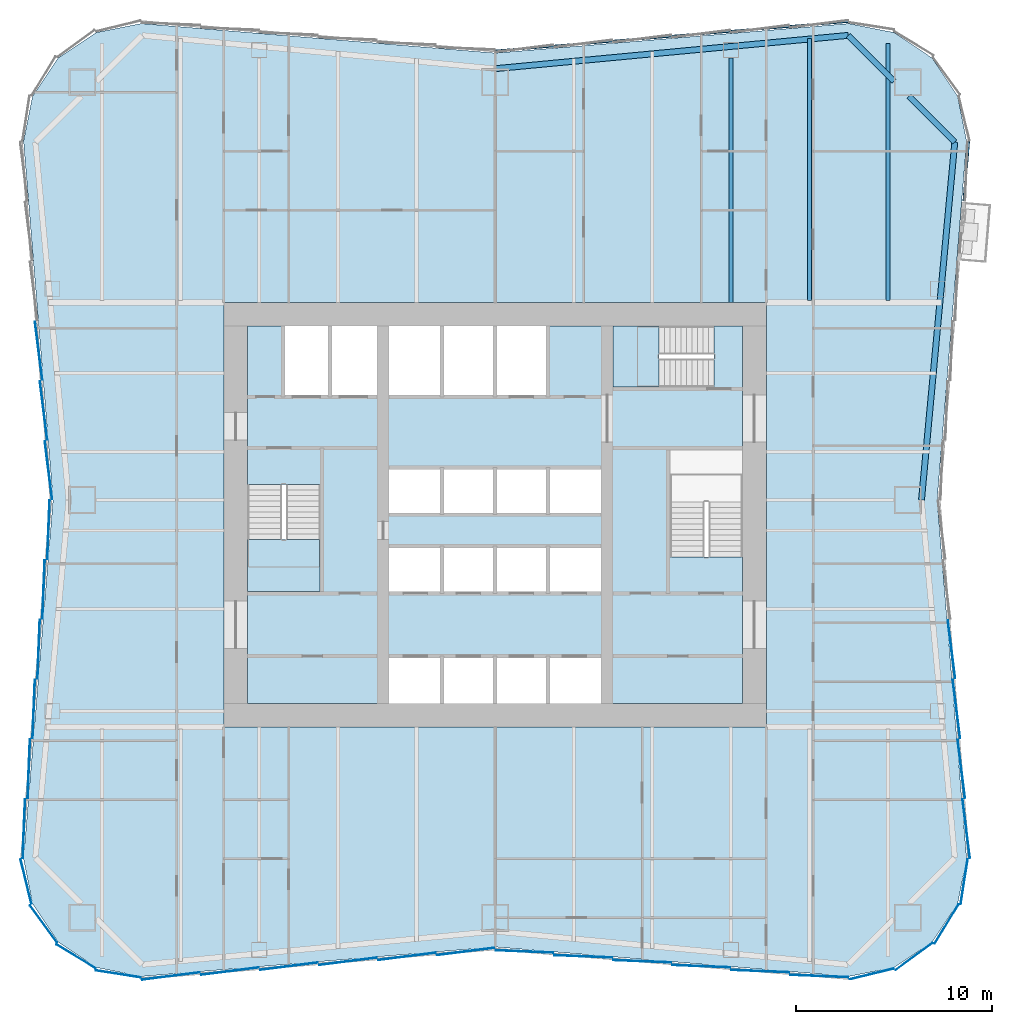
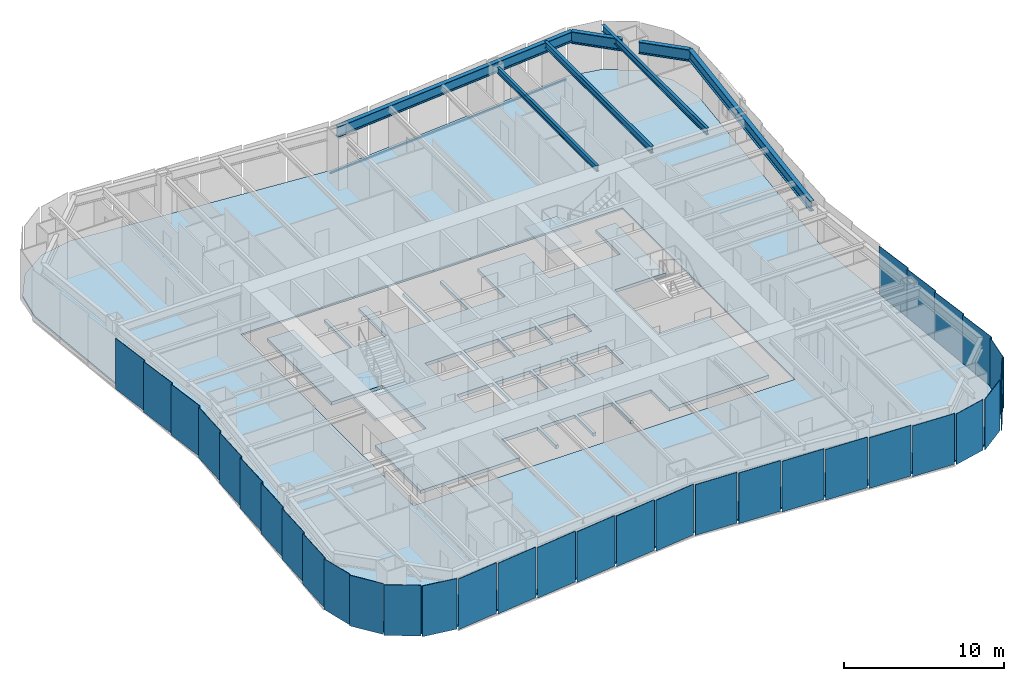
# One storey, part 2 of 9: 33 plates, 7 beams, 4 slabs, 2 members, 8 elements without a shape of their own.
"""IFC4 building model written with IfcOpenShell, lengths in metres."""

from ifc_helpers import new_model, si_unit, direction, frame, origin, origin_2d, place, context, subcontext, project, spatial, polyline, rectangle, i_section, outline, extrude, material, layer, layer_set, material_profile, profile_set, type_object, element, aggregate, save


model = new_model("IFC4")

# Units and contexts
model_context = context("Model", 3, precision=1e-05, world=origin(), true_north=direction((0.0, 1.0)))
body_context = subcontext(model_context, "Body", "Model", "MODEL_VIEW")
ifc_project = project(units=[si_unit("LENGTHUNIT", "METRE"), si_unit("AREAUNIT", "SQUARE_METRE"), si_unit("VOLUMEUNIT", "CUBIC_METRE"), si_unit("PLANEANGLEUNIT", "RADIAN"), si_unit("MASSUNIT", "GRAM", prefix="KILO")], contexts=[model_context])

# Site, building, storey
site_placement = place(None, origin())
site = spatial("IfcSite", under=ifc_project, at=site_placement, CompositionType="ELEMENT")
building_placement = place(site_placement, origin())
building = spatial("IfcBuilding", under=site, at=building_placement, Name="Verdant Reach Tower", CompositionType="ELEMENT")
storey_placement = place(building_placement, frame((0.0, 0.0, 86.0)))
storey = spatial("IfcBuildingStorey", under=building, at=storey_placement, Name="L19", CompositionType="ELEMENT", Elevation=86.0)

# Curtain wall, member
ifc_material_1 = material(Name="Anodised aluminium", Category="aluminium")
curtain_wall_type = type_object("IfcCurtainWallType", Name="EN-CW SYSTEM Z1", PredefinedType="NOTDEFINED", material=ifc_material_1)
curtain_wall_1_placement = place(storey_placement, origin())
curtain_wall_1 = element("IfcCurtainWall", 1, at=curtain_wall_1_placement, inside=storey, type_object=curtain_wall_type, Name="Curtain wall east, L19", PredefinedType="NOTDEFINED")
ifc_material_profile_1 = material_profile(ifc_material_1, rectangle(XDim=0.10009765625, YDim=0.1220703125, at=origin_2d()), Name="Transom 122x100")
ifc_profile_set_1 = profile_set([ifc_material_profile_1], Name="Anodised aluminium")
member_type = type_object("IfcMemberType", Name="EN-TRANSOM Z1", PredefinedType="USERDEFINED", material=ifc_profile_set_1)
member_1_placement = place(storey_placement, frame((23.855224609375, 43.980712890625, -0.2890625), z_axis=(0.081586055135, 0.996666301029, 0.0), x_axis=(-0.996666301029, 0.081586055135, 0.0)))
member_1 = element("IfcMember", 2, at=member_1_placement, type_object=member_type, Name="Transom east face part 2 2.1, L19", ObjectType="TRANSOM", PredefinedType="USERDEFINED", context=body_context, shape_type="SweptSolid", body=[
    extrude(rectangle(XDim=0.10009765625, YDim=0.1220703125, at=origin_2d()), origin(), (0.0, 0.0, 1.0), 3.00439453125),
])

curtain_wall_2_placement = place(storey_placement, origin())
curtain_wall_2 = element("IfcCurtainWall", 3, at=curtain_wall_2_placement, inside=storey, type_object=curtain_wall_type, Name="Curtain wall north, L19", PredefinedType="NOTDEFINED")
member_2_placement = place(storey_placement, frame((17.974853515625, 53.100341796875, -0.2890625), z_axis=(-0.996547815143, -0.083020793384, 0.0), x_axis=(0.083020793384, -0.996547815143, 0.0)))
member_2 = element("IfcMember", 4, at=member_2_placement, type_object=member_type, Name="Transom north face part 1 1.1, L19", ObjectType="TRANSOM", PredefinedType="USERDEFINED", context=body_context, shape_type="SweptSolid", body=[
    extrude(rectangle(XDim=0.10009765625, YDim=0.1220703125, at=origin_2d()), origin(), (0.0, 0.0, 1.0), 18.006103515625),
])
aggregate(curtain_wall_2, [member_2])

# Beams
ifc_material_2 = material(Name="Steel S355", Category="steel")
ifc_material_profile_2 = material_profile(ifc_material_2, i_section(OverallWidth=0.18994140625, OverallDepth=0.449951171875, WebThickness=0.009521484375, FlangeThickness=0.0146484375, FilletRadius=0.02099609375, at=origin_2d()), Name="IPE 450")
ifc_profile_set_2 = profile_set([ifc_material_profile_2], Name="Steel S355")
beam_type_1 = type_object("IfcBeamType", Name="ST-JOIST-IPE450", PredefinedType="JOIST", material=ifc_profile_set_2)
beam_1_placement = place(storey_placement, frame((12.0, 38.800048828125, 3.64501953125), z_axis=(0.0, 1.0, 0.0), x_axis=(-1.0, 0.0, 0.0)))
element("IfcBeam", 5, at=beam_1_placement, inside=storey, type_object=beam_type_1, Name="Floor joist, L19", PredefinedType="JOIST", context=body_context, shape_type="SweptSolid", body=[
    extrude(i_section(OverallWidth=0.18994140625, OverallDepth=0.449951171875, WebThickness=0.009521484375, FlangeThickness=0.0146484375, FilletRadius=0.02099609375, at=origin_2d()), origin(), (0.0, 0.0, 1.0), 12.449951171875),
])
ifc_material_profile_3 = material_profile(ifc_material_2, i_section(OverallWidth=0.199951171875, OverallDepth=0.5, WebThickness=0.01025390625, FlangeThickness=0.01611328125, FilletRadius=0.02099609375, at=origin_2d()), Name="IPE 500")
ifc_profile_set_3 = profile_set([ifc_material_profile_3], Name="Steel S355")
beam_type_2 = type_object("IfcBeamType", Name="ST-JOIST-IPE500", PredefinedType="JOIST", material=ifc_profile_set_3)
beam_2_placement = place(storey_placement, frame((16.0, 38.89990234375, 3.6201171875), z_axis=(0.0, 1.0, 0.0), x_axis=(-1.0, 0.0, 0.0)))
element("IfcBeam", 6, at=beam_2_placement, inside=storey, type_object=beam_type_2, Name="Floor joist, L19", PredefinedType="JOIST", context=body_context, shape_type="SweptSolid", body=[
    extrude(i_section(OverallWidth=0.199951171875, OverallDepth=0.5, WebThickness=0.01025390625, FlangeThickness=0.01611328125, FilletRadius=0.02099609375, at=origin_2d()), origin(), (0.0, 0.0, 1.0), 13.331298828125),
])
beam_3_placement = place(storey_placement, frame((20.0, 38.89990234375, 3.6201171875), z_axis=(0.0, 1.0, 0.0), x_axis=(-1.0, 0.0, 0.0)))
element("IfcBeam", 7, at=beam_3_placement, inside=storey, type_object=beam_type_2, Name="Floor joist, L19", PredefinedType="JOIST", context=body_context, shape_type="SweptSolid", body=[
    extrude(i_section(OverallWidth=0.199951171875, OverallDepth=0.5, WebThickness=0.01025390625, FlangeThickness=0.01611328125, FilletRadius=0.02099609375, at=origin_2d()), origin(), (0.0, 0.0, 1.0), 13.090576171875),
])
ifc_material_profile_4 = material_profile(ifc_material_2, i_section(OverallWidth=0.300048828125, OverallDepth=0.800048828125, WebThickness=0.017578125, FlangeThickness=0.032958984375, FilletRadius=0.030029296875, at=origin_2d()), Name="HEB 800")
ifc_profile_set_4 = profile_set([ifc_material_profile_4], Name="Steel S355")
beam_type_3 = type_object("IfcBeamType", Name="ST-SPANDREL-HEB800", PredefinedType="SPANDREL", material=ifc_profile_set_4)
beam_4_placement = place(storey_placement, frame((0.0, 50.699951171875, 3.469970703125), z_axis=(0.995578571765, 0.093932462137, 0.0), x_axis=(-0.093932462137, 0.995578571765, 0.0)))
element("IfcBeam", 8, at=beam_4_placement, inside=storey, type_object=beam_type_3, Name="Edge beam, L19", PredefinedType="SPANDREL", context=body_context, shape_type="SweptSolid", body=[
    extrude(i_section(OverallWidth=0.300048828125, OverallDepth=0.800048828125, WebThickness=0.017578125, FlangeThickness=0.032958984375, FilletRadius=0.030029296875, at=origin_2d()), origin(), (0.0, 0.0, 1.0), 18.045654296875),
])
beam_5_placement = place(storey_placement, frame((23.39501953125, 46.96533203125, 3.469970703125), z_axis=(-0.092656907618, -0.995698095544, 0.0), x_axis=(0.995698095544, -0.092656907618, 0.0)))
element("IfcBeam", 9, at=beam_5_placement, inside=storey, type_object=beam_type_3, Name="Edge beam, L19", PredefinedType="SPANDREL", context=body_context, shape_type="SweptSolid", body=[
    extrude(i_section(OverallWidth=0.300048828125, OverallDepth=0.800048828125, WebThickness=0.017578125, FlangeThickness=0.032958984375, FilletRadius=0.030029296875, at=origin_2d()), origin(), (0.0, 0.0, 1.0), 18.2939453125),
])
ifc_material_profile_5 = material_profile(ifc_material_2, i_section(OverallWidth=0.302001953125, OverallDepth=0.909912109375, WebThickness=0.02099609375, FlangeThickness=0.0400390625, FilletRadius=0.030029296875, at=origin_2d()), Name="HEM 900")
ifc_profile_set_5 = profile_set([ifc_material_profile_5], Name="Steel S355")
beam_type_4 = type_object("IfcBeamType", Name="ST-SPANDREL-HEM900", PredefinedType="SPANDREL", material=ifc_profile_set_5)
beam_6_placement = place(storey_placement, frame((17.9658203125, 52.39501953125, 3.4150390625), z_axis=(0.707106781187, -0.707106781187, 0.0), x_axis=(0.707106781187, 0.707106781187, 0.0)))
element("IfcBeam", 10, at=beam_6_placement, inside=storey, type_object=beam_type_4, Name="Edge beam, L19", PredefinedType="SPANDREL", context=body_context, shape_type="SweptSolid", body=[
    extrude(i_section(OverallWidth=0.302001953125, OverallDepth=0.909912109375, WebThickness=0.02099609375, FlangeThickness=0.0400390625, FilletRadius=0.030029296875, at=origin_2d()), origin(), (0.0, 0.0, 1.0), 3.301025390625),
])
beam_7_placement = place(storey_placement, frame((21.060546875, 49.300048828125, 3.4150390625), z_axis=(0.707069807316, -0.707143753123, 0.0), x_axis=(0.707143753123, 0.707069807316, 0.0)))
element("IfcBeam", 11, at=beam_7_placement, inside=storey, type_object=beam_type_4, Name="Edge beam, L19", PredefinedType="SPANDREL", context=body_context, shape_type="SweptSolid", body=[
    extrude(i_section(OverallWidth=0.302001953125, OverallDepth=0.909912109375, WebThickness=0.02099609375, FlangeThickness=0.0400390625, FilletRadius=0.030029296875, at=origin_2d()), origin(), (0.0, 0.0, 1.0), 3.301513671875),
])

# Stair, slab
ifc_material_3 = material(Name="Concrete C40/50", Category="concrete")
stair_type = type_object("IfcStairType", Name="CO-STAIR", PredefinedType="HALF_TURN_STAIR", material=ifc_material_3)
stair_1_placement = place(storey_placement, origin())
stair_1 = element("IfcStair", 12, at=stair_1_placement, inside=storey, type_object=stair_type, Name="L19 Exit stair 1", PredefinedType="HALF_TURN_STAIR")
ifc_layer_1 = layer(ifc_material_3, 0.199951171875)
ifc_layer_set_1 = layer_set([ifc_layer_1], Name="CO-STAIR-LANDING")
slab_type_1 = type_object("IfcSlabType", Name="CO-STAIR-LANDING", PredefinedType="LANDING", material=ifc_layer_set_1)
slab_1_placement = place(storey_placement, frame((0.0, 0.0, 1.800048828125)))
slab_1 = element("IfcSlab", 13, at=slab_1_placement, type_object=slab_type_1, Name="ST-1 landing 1", PredefinedType="LANDING", context=body_context, shape_type="SweptSolid", body=[
    extrude(outline(polyline([(-12.60009765625, 26.75), (-12.60009765625, 24.10009765625), (-8.89990234375, 24.10009765625), (-8.89990234375, 26.75), (-12.60009765625, 26.75)])), origin(), (0.0, 0.0, 1.0), 0.199951171875),
])
aggregate(stair_1, [slab_1])

stair_2_placement = place(storey_placement, origin())
stair_2 = element("IfcStair", 14, at=stair_2_placement, inside=storey, type_object=stair_type, Name="L19 Exit stair 3", PredefinedType="HALF_TURN_STAIR")
slab_2_placement = place(storey_placement, frame((0.0, 0.0, 1.800048828125)))
slab_2 = element("IfcSlab", 15, at=slab_2_placement, type_object=slab_type_1, Name="ST-3 landing 1", PredefinedType="LANDING", context=body_context, shape_type="SweptSolid", body=[
    extrude(outline(polyline([(8.35009765625, 37.60009765625), (6.0, 37.60009765625), (6.0, 34.5), (8.35009765625, 34.5), (8.35009765625, 37.60009765625)])), origin(), (0.0, 0.0, 1.0), 0.199951171875),
])
aggregate(stair_2, [slab_2])

# Curtain wall, plate
curtain_wall_3_placement = place(storey_placement, origin())
curtain_wall_3 = element("IfcCurtainWall", 16, at=curtain_wall_3_placement, inside=storey, type_object=curtain_wall_type, Name="Curtain wall south-east corner, L19", PredefinedType="NOTDEFINED")
ifc_material_4 = material(Name="Tinted glass with champagne spandrel", Category="glass")
ifc_layer_2 = layer(ifc_material_4, 0.031982421875)
ifc_layer_set_2 = layer_set([ifc_layer_2], Name="EN-PANEL CHAMPAGNE")
plate_type_1 = type_object("IfcPlateType", Name="EN-PANEL CHAMPAGNE", PredefinedType="CURTAIN_PANEL", material=ifc_layer_set_2)
plate_1_placement = place(storey_placement, frame((19.170654296875, 4.62939453125, -0.22802734375), z_axis=(0.0, 0.0, 1.0), x_axis=(0.971660685934, 0.236380014828, 0.0)))
plate_1 = element("IfcPlate", 17, at=plate_1_placement, type_object=plate_type_1, Name="Glass panel south-east corner 1.1, L19", PredefinedType="CURTAIN_PANEL", context=body_context, shape_type="SweptSolid", body=[
    extrude(rectangle(XDim=2.317626953125, YDim=0.031982421875, at=origin_2d()), origin(), (0.0, 0.0, 1.0), 3.8779296875),
])

# Curtain wall, plates
curtain_wall_4_placement = place(storey_placement, origin())
curtain_wall_4 = element("IfcCurtainWall", 18, at=curtain_wall_4_placement, inside=storey, type_object=curtain_wall_type, Name="Curtain wall west, L19", PredefinedType="NOTDEFINED")
plate_2_placement = place(storey_placement, frame((-23.2275390625, 21.154296875, -0.22802734375), z_axis=(0.0, 0.0, 1.0), x_axis=(-0.040108781752, -0.999195319057, 0.0)))
plate_2 = element("IfcPlate", 19, at=plate_2_placement, type_object=plate_type_1, Name="Glass panel west face part 2 3.1, L19", PredefinedType="CURTAIN_PANEL", context=body_context, shape_type="SweptSolid", body=[
    extrude(rectangle(XDim=2.993896484375, YDim=0.031982421875, at=origin_2d()), origin(), (0.0, 0.0, 1.0), 3.8779296875),
])
plate_3_placement = place(storey_placement, frame((-23.4775390625, 18.112548828125, -0.22802734375), z_axis=(0.0, 0.0, 1.0), x_axis=(-0.040108781752, -0.999195319057, 0.0)))
plate_3 = element("IfcPlate", 20, at=plate_3_placement, type_object=plate_type_1, Name="Glass panel west face part 2 4.1, L19", PredefinedType="CURTAIN_PANEL", context=body_context, shape_type="SweptSolid", body=[
    extrude(rectangle(XDim=2.993896484375, YDim=0.031982421875, at=origin_2d()), origin(), (0.0, 0.0, 1.0), 3.8779296875),
])

curtain_wall_5_placement = place(storey_placement, origin())
curtain_wall_5 = element("IfcCurtainWall", 21, at=curtain_wall_5_placement, inside=storey, type_object=curtain_wall_type, Name="Curtain wall south-west corner, L19", PredefinedType="NOTDEFINED")
plate_4_placement = place(storey_placement, frame((-23.87060546875, 9.329345703125, -0.22802734375), z_axis=(0.0, 0.0, 1.0), x_axis=(0.236383344544, -0.971659875894, 0.0)))
plate_4 = element("IfcPlate", 22, at=plate_4_placement, type_object=plate_type_1, Name="Glass panel south-west corner 1.1, L19", PredefinedType="CURTAIN_PANEL", context=body_context, shape_type="SweptSolid", body=[
    extrude(rectangle(XDim=2.3173828125, YDim=0.031982421875, at=origin_2d()), origin(), (0.0, 0.0, 1.0), 3.8779296875),
])
plate_5_placement = place(storey_placement, frame((-22.97705078125, 7.174560546875, -0.22802734375), z_axis=(0.0, 0.0, 1.0), x_axis=(0.589926768145, -0.807456753161, 0.0)))
plate_5 = element("IfcPlate", 23, at=plate_5_placement, type_object=plate_type_1, Name="Glass panel south-west corner 2.1, L19", PredefinedType="CURTAIN_PANEL", context=body_context, shape_type="SweptSolid", body=[
    extrude(rectangle(XDim=2.3232421875, YDim=0.031982421875, at=origin_2d()), origin(), (0.0, 0.0, 1.0), 3.8779296875),
])
plate_6_placement = place(storey_placement, frame((-21.325439453125, 5.52294921875, -0.22802734375), z_axis=(0.0, 0.0, 1.0), x_axis=(0.85398868836, -0.520291572248, 0.0)))
plate_6 = element("IfcPlate", 24, at=plate_6_placement, type_object=plate_type_1, Name="Glass panel south-west corner 3.1, L19", PredefinedType="CURTAIN_PANEL", context=body_context, shape_type="SweptSolid", body=[
    extrude(rectangle(XDim=2.3232421875, YDim=0.031982421875, at=origin_2d()), origin(), (0.0, 0.0, 1.0), 3.8779296875),
])

curtain_wall_6_placement = place(storey_placement, origin())
curtain_wall_6 = element("IfcCurtainWall", 25, at=curtain_wall_6_placement, inside=storey, type_object=curtain_wall_type, Name="Curtain wall south, L19", PredefinedType="NOTDEFINED")
plate_7_placement = place(storey_placement, frame((-16.49853515625, 4.522216796875, -0.22802734375), z_axis=(0.0, 0.0, 1.0), x_axis=(0.99223537376, 0.124374286167, 0.0)))
plate_7 = element("IfcPlate", 26, at=plate_7_placement, type_object=plate_type_1, Name="Glass panel south face part 1 1.1, L19", PredefinedType="CURTAIN_PANEL", context=body_context, shape_type="SweptSolid", body=[
    extrude(rectangle(XDim=2.966796875, YDim=0.031982421875, at=origin_2d()), origin(), (0.0, 0.0, 1.0), 3.8779296875),
])
plate_8_placement = place(storey_placement, frame((1.49560546875, 5.772216796875, -0.22802734375), z_axis=(0.0, 0.0, 1.0), x_axis=(0.99914430697, -0.041360051381, 0.0)))
plate_8 = element("IfcPlate", 27, at=plate_8_placement, type_object=plate_type_1, Name="Glass panel south face part 2 1.1, L19", PredefinedType="CURTAIN_PANEL", context=body_context, shape_type="SweptSolid", body=[
    extrude(rectangle(XDim=2.94384765625, YDim=0.031982421875, at=origin_2d()), origin(), (0.0, 0.0, 1.0), 3.8779296875),
])
plate_9_placement = place(storey_placement, frame((4.491455078125, 5.5224609375, -0.22802734375), z_axis=(0.0, 0.0, 1.0), x_axis=(0.999149202059, -0.041241629766, 0.0)))
plate_9 = element("IfcPlate", 28, at=plate_9_placement, type_object=plate_type_1, Name="Glass panel south face part 2 2.1, L19", PredefinedType="CURTAIN_PANEL", context=body_context, shape_type="SweptSolid", body=[
    extrude(rectangle(XDim=2.952392578125, YDim=0.031982421875, at=origin_2d()), origin(), (0.0, 0.0, 1.0), 3.8779296875),
])

# Plate
ifc_material_5 = material(Name="Tinted glass with copper spandrel", Category="glass")
ifc_layer_3 = layer(ifc_material_5, 0.031982421875)
ifc_layer_set_3 = layer_set([ifc_layer_3], Name="EN-PANEL COPPER")
plate_type_2 = type_object("IfcPlateType", Name="EN-PANEL COPPER", PredefinedType="CURTAIN_PANEL", material=ifc_layer_set_3)
plate_10_placement = place(storey_placement, frame((21.325439453125, 5.52294921875, -0.22802734375), z_axis=(0.0, 0.0, 1.0), x_axis=(0.807456753161, 0.589926768145, 0.0)))
plate_10 = element("IfcPlate", 29, at=plate_10_placement, type_object=plate_type_2, Name="Glass panel south-east corner 2.1, L19", PredefinedType="CURTAIN_PANEL", context=body_context, shape_type="SweptSolid", body=[
    extrude(rectangle(XDim=2.3232421875, YDim=0.031982421875, at=origin_2d()), origin(), (0.0, 0.0, 1.0), 3.8779296875),
])

plate_11_placement = place(storey_placement, frame((22.97705078125, 7.174560546875, -0.22802734375), z_axis=(0.0, 0.0, 1.0), x_axis=(0.520291572248, 0.85398868836, 0.0)))
plate_11 = element("IfcPlate", 30, at=plate_11_placement, type_object=plate_type_2, Name="Glass panel south-east corner 3.1, L19", PredefinedType="CURTAIN_PANEL", context=body_context, shape_type="SweptSolid", body=[
    extrude(rectangle(XDim=2.3232421875, YDim=0.031982421875, at=origin_2d()), origin(), (0.0, 0.0, 1.0), 3.8779296875),
])

plate_12_placement = place(storey_placement, frame((23.977783203125, 12.022216796875, -0.22802734375), z_axis=(0.0, 0.0, 1.0), x_axis=(-0.123256305275, 0.992374870304, 0.0)))
plate_12 = element("IfcPlate", 31, at=plate_12_placement, type_object=plate_type_2, Name="Glass panel east face part 1 1.1, L19", PredefinedType="CURTAIN_PANEL", context=body_context, shape_type="SweptSolid", body=[
    extrude(rectangle(XDim=3.00830078125, YDim=0.031982421875, at=origin_2d()), origin(), (0.0, 0.0, 1.0), 3.8779296875),
])

plate_13_placement = place(storey_placement, frame((-23.2275390625, 36.345703125, -0.22802734375), z_axis=(0.0, 0.0, 1.0), x_axis=(0.123578623975, -0.992334784081, 0.0)))
plate_13 = element("IfcPlate", 32, at=plate_13_placement, type_object=plate_type_2, Name="Glass panel west face part 1 4.1, L19", PredefinedType="CURTAIN_PANEL", context=body_context, shape_type="SweptSolid", body=[
    extrude(rectangle(XDim=2.993896484375, YDim=0.031982421875, at=origin_2d()), origin(), (0.0, 0.0, 1.0), 3.8779296875),
])

plate_14_placement = place(storey_placement, frame((-22.9775390625, 33.303955078125, -0.22802734375), z_axis=(0.0, 0.0, 1.0), x_axis=(0.123578623975, -0.992334784081, 0.0)))
plate_14 = element("IfcPlate", 33, at=plate_14_placement, type_object=plate_type_2, Name="Glass panel west face part 1 5.1, L19", PredefinedType="CURTAIN_PANEL", context=body_context, shape_type="SweptSolid", body=[
    extrude(rectangle(XDim=2.993896484375, YDim=0.031982421875, at=origin_2d()), origin(), (0.0, 0.0, 1.0), 3.8779296875),
])

plate_15_placement = place(storey_placement, frame((-23.7275390625, 15.071044921875, -0.22802734375), z_axis=(0.0, 0.0, 1.0), x_axis=(-0.040108781752, -0.999195319057, 0.0)))
plate_15 = element("IfcPlate", 34, at=plate_15_placement, type_object=plate_type_2, Name="Glass panel west face part 2 5.1, L19", PredefinedType="CURTAIN_PANEL", context=body_context, shape_type="SweptSolid", body=[
    extrude(rectangle(XDim=2.993896484375, YDim=0.031982421875, at=origin_2d()), origin(), (0.0, 0.0, 1.0), 3.8779296875),
])

plate_16_placement = place(storey_placement, frame((-23.977783203125, 12.022216796875, -0.22802734375), z_axis=(0.0, 0.0, 1.0), x_axis=(-0.039784239139, -0.999208293759, 0.0)))
plate_16 = element("IfcPlate", 35, at=plate_16_placement, type_object=plate_type_2, Name="Glass panel west face part 2 6.1, L19", PredefinedType="CURTAIN_PANEL", context=body_context, shape_type="SweptSolid", body=[
    extrude(rectangle(XDim=3.00830078125, YDim=0.031982421875, at=origin_2d()), origin(), (0.0, 0.0, 1.0), 3.8779296875),
])

plate_17_placement = place(storey_placement, frame((-19.170654296875, 4.62939453125, -0.22802734375), z_axis=(0.0, 0.0, 1.0), x_axis=(0.988032704995, -0.154244526195, 0.0)))
plate_17 = element("IfcPlate", 36, at=plate_17_placement, type_object=plate_type_2, Name="Glass panel south-west corner 4.1, L19", PredefinedType="CURTAIN_PANEL", context=body_context, shape_type="SweptSolid", body=[
    extrude(rectangle(XDim=2.317626953125, YDim=0.031982421875, at=origin_2d()), origin(), (0.0, 0.0, 1.0), 3.8779296875),
])

aggregate(curtain_wall_5, [plate_4, plate_5, plate_6, plate_17])

plate_18_placement = place(storey_placement, frame((-13.491455078125, 4.7724609375, -0.22802734375), z_axis=(0.0, 0.0, 1.0), x_axis=(0.992194034542, 0.124703639961, 0.0)))
plate_18 = element("IfcPlate", 37, at=plate_18_placement, type_object=plate_type_2, Name="Glass panel south face part 1 2.1, L19", PredefinedType="CURTAIN_PANEL", context=body_context, shape_type="SweptSolid", body=[
    extrude(rectangle(XDim=2.952392578125, YDim=0.031982421875, at=origin_2d()), origin(), (0.0, 0.0, 1.0), 3.8779296875),
])

plate_19_placement = place(storey_placement, frame((-10.491455078125, 5.0224609375, -0.22802734375), z_axis=(0.0, 0.0, 1.0), x_axis=(0.992194034542, 0.124703639961, 0.0)))
plate_19 = element("IfcPlate", 38, at=plate_19_placement, type_object=plate_type_2, Name="Glass panel south face part 1 3.1, L19", PredefinedType="CURTAIN_PANEL", context=body_context, shape_type="SweptSolid", body=[
    extrude(rectangle(XDim=2.952392578125, YDim=0.031982421875, at=origin_2d()), origin(), (0.0, 0.0, 1.0), 3.8779296875),
])

plate_20_placement = place(storey_placement, frame((7.491455078125, 5.2724609375, -0.22802734375), z_axis=(0.0, 0.0, 1.0), x_axis=(0.999149202059, -0.041241629766, 0.0)))
plate_20 = element("IfcPlate", 39, at=plate_20_placement, type_object=plate_type_2, Name="Glass panel south face part 2 3.1, L19", PredefinedType="CURTAIN_PANEL", context=body_context, shape_type="SweptSolid", body=[
    extrude(rectangle(XDim=2.952392578125, YDim=0.031982421875, at=origin_2d()), origin(), (0.0, 0.0, 1.0), 3.8779296875),
])

plate_21_placement = place(storey_placement, frame((10.491455078125, 5.0224609375, -0.22802734375), z_axis=(0.0, 0.0, 1.0), x_axis=(0.999149202059, -0.041241629766, 0.0)))
plate_21 = element("IfcPlate", 40, at=plate_21_placement, type_object=plate_type_2, Name="Glass panel south face part 2 4.1, L19", PredefinedType="CURTAIN_PANEL", context=body_context, shape_type="SweptSolid", body=[
    extrude(rectangle(XDim=2.952392578125, YDim=0.031982421875, at=origin_2d()), origin(), (0.0, 0.0, 1.0), 3.8779296875),
])

plate_22_placement = place(storey_placement, frame((13.491455078125, 4.7724609375, -0.22802734375), z_axis=(0.0, 0.0, 1.0), x_axis=(0.999149202059, -0.041241629766, 0.0)))
plate_22 = element("IfcPlate", 41, at=plate_22_placement, type_object=plate_type_2, Name="Glass panel south face part 2 5.1, L19", PredefinedType="CURTAIN_PANEL", context=body_context, shape_type="SweptSolid", body=[
    extrude(rectangle(XDim=2.952392578125, YDim=0.031982421875, at=origin_2d()), origin(), (0.0, 0.0, 1.0), 3.8779296875),
])

ifc_material_6 = material(Name="Tinted glass with dark bronze spandrel", Category="glass")
ifc_layer_4 = layer(ifc_material_6, 0.031982421875)
ifc_layer_set_4 = layer_set([ifc_layer_4], Name="EN-PANEL DARK")
plate_type_3 = type_object("IfcPlateType", Name="EN-PANEL DARK", PredefinedType="CURTAIN_PANEL", material=ifc_layer_set_4)
plate_23_placement = place(storey_placement, frame((23.87060546875, 9.329345703125, -0.22802734375), z_axis=(0.0, 0.0, 1.0), x_axis=(0.154247912016, 0.988032176419, 0.0)))
plate_23 = element("IfcPlate", 42, at=plate_23_placement, type_object=plate_type_3, Name="Glass panel south-east corner 4.1, L19", PredefinedType="CURTAIN_PANEL", context=body_context, shape_type="SweptSolid", body=[
    extrude(rectangle(XDim=2.3173828125, YDim=0.031982421875, at=origin_2d()), origin(), (0.0, 0.0, 1.0), 3.8779296875),
])

aggregate(curtain_wall_3, [plate_1, plate_10, plate_11, plate_23])

plate_24_placement = place(storey_placement, frame((23.7275390625, 15.071044921875, -0.22802734375), z_axis=(0.0, 0.0, 1.0), x_axis=(-0.123578623975, 0.992334784081, 0.0)))
plate_24 = element("IfcPlate", 43, at=plate_24_placement, type_object=plate_type_3, Name="Glass panel east face part 1 2.1, L19", PredefinedType="CURTAIN_PANEL", context=body_context, shape_type="SweptSolid", body=[
    extrude(rectangle(XDim=2.993896484375, YDim=0.031982421875, at=origin_2d()), origin(), (0.0, 0.0, 1.0), 3.8779296875),
])

plate_25_placement = place(storey_placement, frame((23.4775390625, 18.112548828125, -0.22802734375), z_axis=(0.0, 0.0, 1.0), x_axis=(-0.123578623975, 0.992334784081, 0.0)))
plate_25 = element("IfcPlate", 44, at=plate_25_placement, type_object=plate_type_3, Name="Glass panel east face part 1 3.1, L19", PredefinedType="CURTAIN_PANEL", context=body_context, shape_type="SweptSolid", body=[
    extrude(rectangle(XDim=2.993896484375, YDim=0.031982421875, at=origin_2d()), origin(), (0.0, 0.0, 1.0), 3.8779296875),
])

plate_26_placement = place(storey_placement, frame((23.2275390625, 21.154296875, -0.22802734375), z_axis=(0.0, 0.0, 1.0), x_axis=(-0.123578623975, 0.992334784081, 0.0)))
plate_26 = element("IfcPlate", 45, at=plate_26_placement, type_object=plate_type_3, Name="Glass panel east face part 1 4.1, L19", PredefinedType="CURTAIN_PANEL", context=body_context, shape_type="SweptSolid", body=[
    extrude(rectangle(XDim=2.993896484375, YDim=0.031982421875, at=origin_2d()), origin(), (0.0, 0.0, 1.0), 3.8779296875),
])

aggregate(curtain_wall_1, [plate_12, plate_24, plate_25, plate_26, member_1])

plate_27_placement = place(storey_placement, frame((-22.727783203125, 30.2666015625, -0.22802734375), z_axis=(0.0, 0.0, 1.0), x_axis=(0.123691487663, -0.992320722287, 0.0)))
plate_27 = element("IfcPlate", 46, at=plate_27_placement, type_object=plate_type_3, Name="Glass panel west face part 1 6.1, L19", PredefinedType="CURTAIN_PANEL", context=body_context, shape_type="SweptSolid", body=[
    extrude(rectangle(XDim=2.985595703125, YDim=0.031982421875, at=origin_2d()), origin(), (0.0, 0.0, 1.0), 3.8779296875),
])

plate_28_placement = place(storey_placement, frame((-22.727783203125, 27.2333984375, -0.22802734375), z_axis=(0.0, 0.0, 1.0), x_axis=(-0.040222426271, -0.99919075077, 0.0)))
plate_28 = element("IfcPlate", 47, at=plate_28_placement, type_object=plate_type_3, Name="Glass panel west face part 2 1.1, L19", PredefinedType="CURTAIN_PANEL", context=body_context, shape_type="SweptSolid", body=[
    extrude(rectangle(XDim=2.985595703125, YDim=0.031982421875, at=origin_2d()), origin(), (0.0, 0.0, 1.0), 3.8779296875),
])

plate_29_placement = place(storey_placement, frame((-22.9775390625, 24.196044921875, -0.22802734375), z_axis=(0.0, 0.0, 1.0), x_axis=(-0.040108781752, -0.999195319057, 0.0)))
plate_29 = element("IfcPlate", 48, at=plate_29_placement, type_object=plate_type_3, Name="Glass panel west face part 2 2.1, L19", PredefinedType="CURTAIN_PANEL", context=body_context, shape_type="SweptSolid", body=[
    extrude(rectangle(XDim=2.993896484375, YDim=0.031982421875, at=origin_2d()), origin(), (0.0, 0.0, 1.0), 3.8779296875),
])

aggregate(curtain_wall_4, [plate_13, plate_14, plate_27, plate_28, plate_29, plate_2, plate_3, plate_15, plate_16])

plate_30_placement = place(storey_placement, frame((-7.491455078125, 5.2724609375, -0.22802734375), z_axis=(0.0, 0.0, 1.0), x_axis=(0.992194034542, 0.124703639961, 0.0)))
plate_30 = element("IfcPlate", 49, at=plate_30_placement, type_object=plate_type_3, Name="Glass panel south face part 1 4.1, L19", PredefinedType="CURTAIN_PANEL", context=body_context, shape_type="SweptSolid", body=[
    extrude(rectangle(XDim=2.952392578125, YDim=0.031982421875, at=origin_2d()), origin(), (0.0, 0.0, 1.0), 3.8779296875),
])

plate_31_placement = place(storey_placement, frame((-4.491455078125, 5.5224609375, -0.22802734375), z_axis=(0.0, 0.0, 1.0), x_axis=(0.992194034542, 0.124703639961, 0.0)))
plate_31 = element("IfcPlate", 50, at=plate_31_placement, type_object=plate_type_3, Name="Glass panel south face part 1 5.1, L19", PredefinedType="CURTAIN_PANEL", context=body_context, shape_type="SweptSolid", body=[
    extrude(rectangle(XDim=2.952392578125, YDim=0.031982421875, at=origin_2d()), origin(), (0.0, 0.0, 1.0), 3.8779296875),
])

plate_32_placement = place(storey_placement, frame((-1.49560546875, 5.772216796875, -0.22802734375), z_axis=(0.0, 0.0, 1.0), x_axis=(0.992179247355, 0.124821236644, 0.0)))
plate_32 = element("IfcPlate", 51, at=plate_32_placement, type_object=plate_type_3, Name="Glass panel south face part 1 6.1, L19", PredefinedType="CURTAIN_PANEL", context=body_context, shape_type="SweptSolid", body=[
    extrude(rectangle(XDim=2.94384765625, YDim=0.031982421875, at=origin_2d()), origin(), (0.0, 0.0, 1.0), 3.8779296875),
])

plate_33_placement = place(storey_placement, frame((16.49853515625, 4.522216796875, -0.22802734375), z_axis=(0.0, 0.0, 1.0), x_axis=(0.999162836679, -0.040909971885, 0.0)))
plate_33 = element("IfcPlate", 52, at=plate_33_placement, type_object=plate_type_3, Name="Glass panel south face part 2 6.1, L19", PredefinedType="CURTAIN_PANEL", context=body_context, shape_type="SweptSolid", body=[
    extrude(rectangle(XDim=2.966796875, YDim=0.031982421875, at=origin_2d()), origin(), (0.0, 0.0, 1.0), 3.8779296875),
])

aggregate(curtain_wall_6, [plate_7, plate_18, plate_19, plate_30, plate_31, plate_32, plate_8, plate_9, plate_20, plate_21, plate_22, plate_33])

# Slabs
ifc_material_7 = material(Name="Concrete C35/45", Category="concrete")
ifc_layer_5 = layer(ifc_material_7, 0.1298828125)
ifc_layer_set_5 = layer_set([ifc_layer_5], Name="ST-SLAB-130")
slab_type_2 = type_object("IfcSlabType", Name="ST-SLAB-130", PredefinedType="FLOOR", material=ifc_layer_set_5)
slab_3_placement = place(storey_placement, frame((0.0, 0.0, -0.1298828125)))
element("IfcSlab", 53, at=slab_3_placement, inside=storey, type_object=slab_type_2, Name="Floor slab L19", PredefinedType="FLOOR", context=body_context, shape_type="SweptSolid", body=[
    extrude(outline(polyline([(0.0, 6.0), (-18.0, 4.5), (-20.296142578125, 4.956787109375), (-22.24267578125, 6.25732421875), (-23.543212890625, 8.203857421875), (-24.0, 10.5), (-22.5, 28.75), (-24.0, 47.0), (-23.543212890625, 49.296142578125), (-22.24267578125, 51.24267578125), (-20.296142578125, 52.543212890625), (-18.0, 53.0), (0.0, 51.5), (18.0, 53.0), (20.296142578125, 52.543212890625), (22.24267578125, 51.24267578125), (23.543212890625, 49.296142578125), (24.0, 47.0), (22.5, 28.75), (24.0, 10.5), (23.543212890625, 8.203857421875), (22.24267578125, 6.25732421875), (20.296142578125, 4.956787109375), (18.0, 4.5), (0.0, 6.0)]), holes=[polyline([(13.800048828125, 38.800048828125), (-13.800048828125, 38.800048828125), (-13.800048828125, 17.199951171875), (13.800048828125, 17.199951171875), (13.800048828125, 38.800048828125)])]), origin(), (0.0, 0.0, 1.0), 0.1298828125),
])
ifc_layer_6 = layer(ifc_material_7, 0.25)
ifc_layer_set_6 = layer_set([ifc_layer_6], Name="ST-SLAB-250")
slab_type_3 = type_object("IfcSlabType", Name="ST-SLAB-250", PredefinedType="FLOOR", material=ifc_layer_set_6)
slab_4_placement = place(storey_placement, frame((0.0, 0.0, -0.25)))
element("IfcSlab", 54, at=slab_4_placement, inside=storey, type_object=slab_type_3, Name="Core floor slab L19", PredefinedType="FLOOR", context=body_context, shape_type="SweptSolid", body=[
    extrude(outline(polyline([(12.60009765625, 18.39990234375), (5.39990234375, 18.39990234375), (5.39990234375, 20.699951171875), (2.800048828125, 20.699951171875), (2.800048828125, 18.39990234375), (2.60009765625, 18.39990234375), (2.60009765625, 20.699951171875), (0.10009765625, 20.699951171875), (0.10009765625, 18.39990234375), (-0.10009765625, 18.39990234375), (-0.10009765625, 20.699951171875), (-2.60009765625, 20.699951171875), (-2.60009765625, 18.39990234375), (-2.800048828125, 18.39990234375), (-2.800048828125, 20.699951171875), (-5.39990234375, 20.699951171875), (-5.39990234375, 18.39990234375), (-12.60009765625, 18.39990234375), (-12.60009765625, 24.10009765625), (-8.89990234375, 24.10009765625), (-8.89990234375, 29.548095703125), (-12.60009765625, 29.548095703125), (-12.60009765625, 37.60009765625), (-10.699951171875, 37.60009765625), (-10.699951171875, 34.10009765625), (-8.5, 34.10009765625), (-8.5, 37.60009765625), (-8.300048828125, 37.60009765625), (-8.300048828125, 34.10009765625), (-6.0, 34.10009765625), (-6.0, 37.60009765625), (-5.39990234375, 37.60009765625), (-5.39990234375, 34.10009765625), (-2.800048828125, 34.10009765625), (-2.800048828125, 37.60009765625), (-2.60009765625, 37.60009765625), (-2.60009765625, 34.10009765625), (-0.10009765625, 34.10009765625), (-0.10009765625, 37.60009765625), (0.10009765625, 37.60009765625), (0.10009765625, 34.10009765625), (2.60009765625, 34.10009765625), (2.60009765625, 37.60009765625), (6.0, 37.60009765625), (6.0, 34.5), (11.14794921875, 34.5), (11.14794921875, 37.60009765625), (12.60009765625, 37.60009765625), (12.60009765625, 31.300048828125), (8.89990234375, 31.300048828125), (8.89990234375, 25.85205078125), (12.60009765625, 25.85205078125), (12.60009765625, 18.39990234375)]), holes=[polyline([(-2.800048828125, 24.10009765625), (-2.800048828125, 26.300048828125), (-5.39990234375, 26.300048828125), (-5.39990234375, 24.10009765625), (-2.800048828125, 24.10009765625)]), polyline([(-2.60009765625, 24.10009765625), (-0.10009765625, 24.10009765625), (-0.10009765625, 26.300048828125), (-2.60009765625, 26.300048828125), (-2.60009765625, 24.10009765625)]), polyline([(-2.800048828125, 28.10009765625), (-2.800048828125, 30.300048828125), (-5.39990234375, 30.300048828125), (-5.39990234375, 28.10009765625), (-2.800048828125, 28.10009765625)]), polyline([(-0.10009765625, 28.10009765625), (-0.10009765625, 30.300048828125), (-2.60009765625, 30.300048828125), (-2.60009765625, 28.10009765625), (-0.10009765625, 28.10009765625)]), polyline([(2.60009765625, 24.10009765625), (2.60009765625, 26.300048828125), (0.10009765625, 26.300048828125), (0.10009765625, 24.10009765625), (2.60009765625, 24.10009765625)]), polyline([(2.800048828125, 24.10009765625), (5.39990234375, 24.10009765625), (5.39990234375, 26.300048828125), (2.800048828125, 26.300048828125), (2.800048828125, 24.10009765625)]), polyline([(2.60009765625, 28.10009765625), (2.60009765625, 30.300048828125), (0.10009765625, 30.300048828125), (0.10009765625, 28.10009765625), (2.60009765625, 28.10009765625)]), polyline([(5.39990234375, 28.10009765625), (5.39990234375, 30.300048828125), (2.800048828125, 30.300048828125), (2.800048828125, 28.10009765625), (5.39990234375, 28.10009765625)])]), origin(), (0.0, 0.0, 1.0), 0.25),
])

save(model, "model.ifc")
